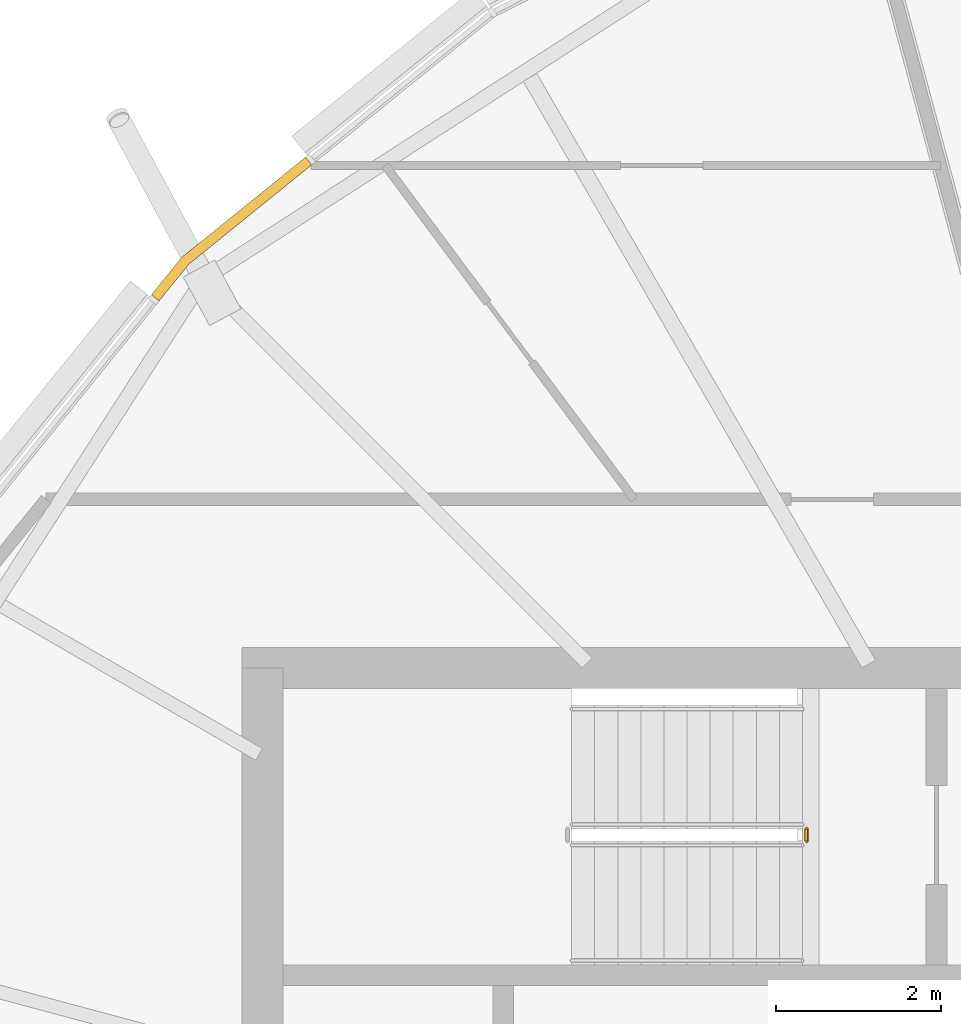
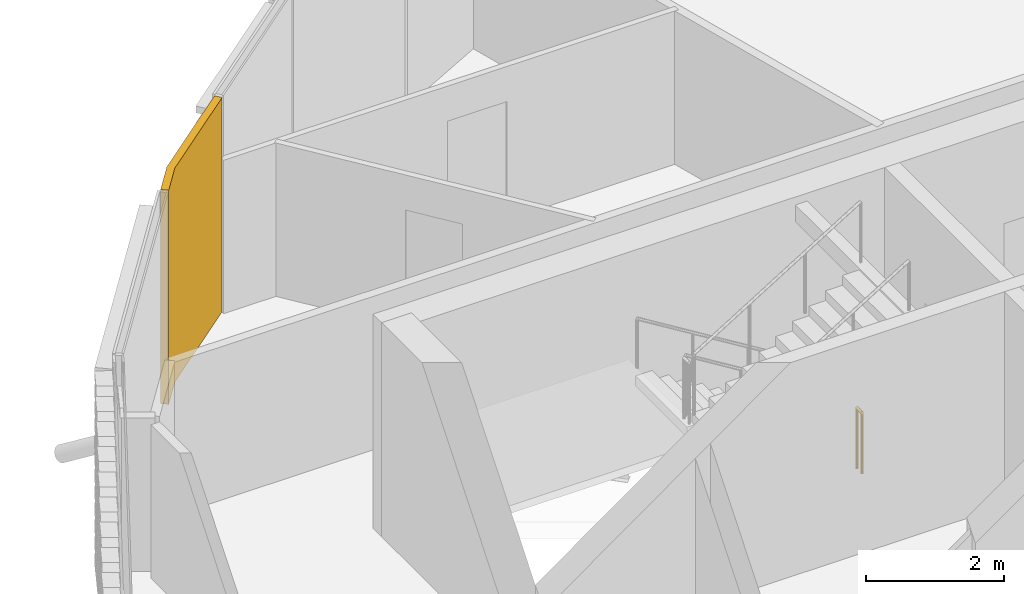
# One storey, part 32 of 33: 1 covering, 1 railing.
"""IFC4 building model written with IfcOpenShell, lengths in metres."""

from ifc_helpers import new_model, si_unit, direction, frame, origin, origin_2d, place, context, subcontext, project, spatial, polyline, circle, outline, extrude, material, layer, layer_set, type_object, element, save


model = new_model("IFC4")

# Units and contexts
model_context = context("Model", 3, precision=1e-05, world=origin(), true_north=direction((0.0, 1.0)))
body_context = subcontext(model_context, "Body", "Model", "MODEL_VIEW")
ifc_project = project(units=[si_unit("LENGTHUNIT", "METRE"), si_unit("AREAUNIT", "SQUARE_METRE"), si_unit("VOLUMEUNIT", "CUBIC_METRE"), si_unit("PLANEANGLEUNIT", "RADIAN"), si_unit("MASSUNIT", "GRAM", prefix="KILO")], contexts=[model_context])

# Site, building, storey
site_placement = place(None, origin())
site = spatial("IfcSite", under=ifc_project, at=site_placement, CompositionType="ELEMENT")
building_placement = place(site_placement, origin())
building = spatial("IfcBuilding", under=site, at=building_placement, Name="Rimbun Link Towers", CompositionType="ELEMENT")
storey_placement = place(building_placement, frame((0.0, 0.0, 237.10009765625)))
storey = spatial("IfcBuildingStorey", under=building, at=storey_placement, Name="L58", CompositionType="ELEMENT", Elevation=237.10009765625)

# Covering
ifc_material_1 = material(Name="Terracotta", Category="masonry")
ifc_layer = layer(ifc_material_1, 0.1201171875)
ifc_layer_set = layer_set([ifc_layer], Name="LINK PIER terracotta cladding 120")
covering_type = type_object("IfcCoveringType", Name="LINK PIER terracotta cladding 120", PredefinedType="CLADDING", material=ifc_layer_set)
covering_placement = place(storey_placement, origin())
element("IfcCovering", 1, at=covering_placement, inside=storey, type_object=covering_type, Name="LINK PIER cladding", PredefinedType="CLADDING", context=body_context, shape_type="SweptSolid", body=[
    extrude(outline(polyline([(18.49609375, 12.452392578125), (18.8544921875, 12.8955078125), (20.346923828125, 14.103271484375), (20.271484375, 14.196533203125), (18.769287109375, 12.980712890625), (18.40283203125, 12.52783203125), (18.49609375, 12.452392578125)])), origin(), (0.0, 0.0, 1.0), 3.7998046875),
])

# Railing
ifc_material_2 = material(Name="Stainless steel grade 316", Category="steel")
railing_type = type_object("IfcRailingType", Name="Stair guard", PredefinedType="GUARDRAIL", material=ifc_material_2)
railing_placement = place(storey_placement, frame((26.35009765625, 6.050048828125, 0.0)))
element("IfcRailing", 2, at=railing_placement, inside=storey, type_object=railing_type, Name="L58 ST3 stair guard 4", PredefinedType="GUARDRAIL", context=body_context, shape_type="SweptSolid", body=[
    extrude(circle(Radius=0.02392578125, at=origin_2d()), frame((0.0, 0.0, 1.076171875), z_axis=(0.0, -1.0, 0.0), x_axis=(1.0, 0.0, 0.0)), (0.0, 0.0, 1.0), 0.150146484375),
    extrude(circle(Radius=0.02099609375, at=origin_2d()), origin(), (0.0, 0.0, 1.0), 1.052001953125),
    extrude(circle(Radius=0.02099609375, at=origin_2d()), frame((0.0, -0.150146484375, 0.0)), (0.0, 0.0, 1.0), 1.052001953125),
])

save(model, "model.ifc")
